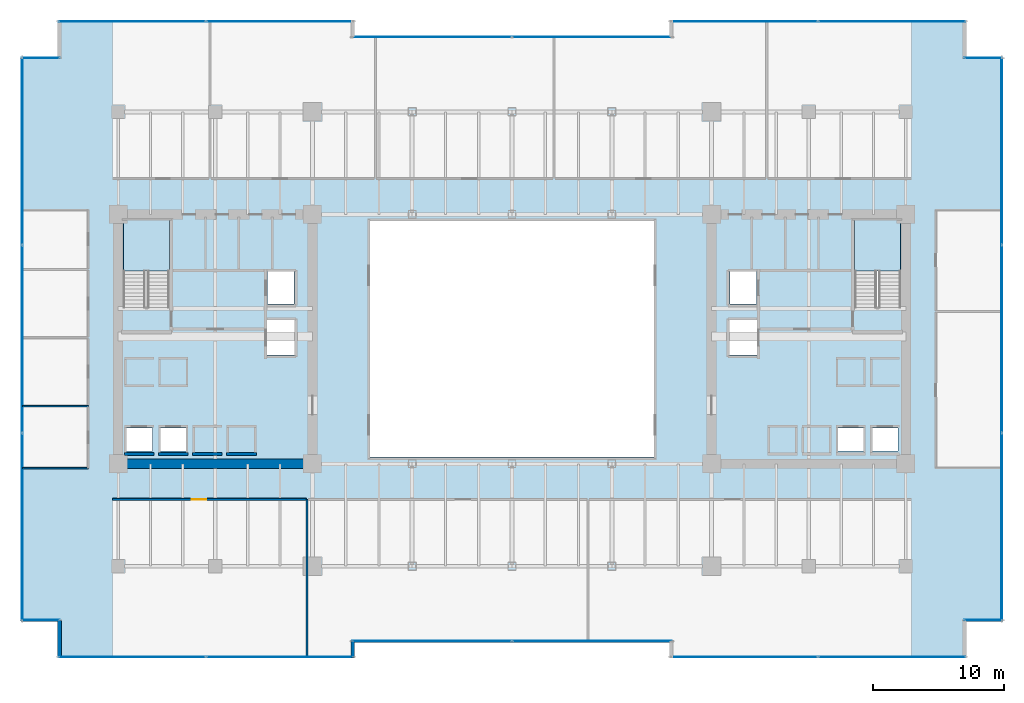
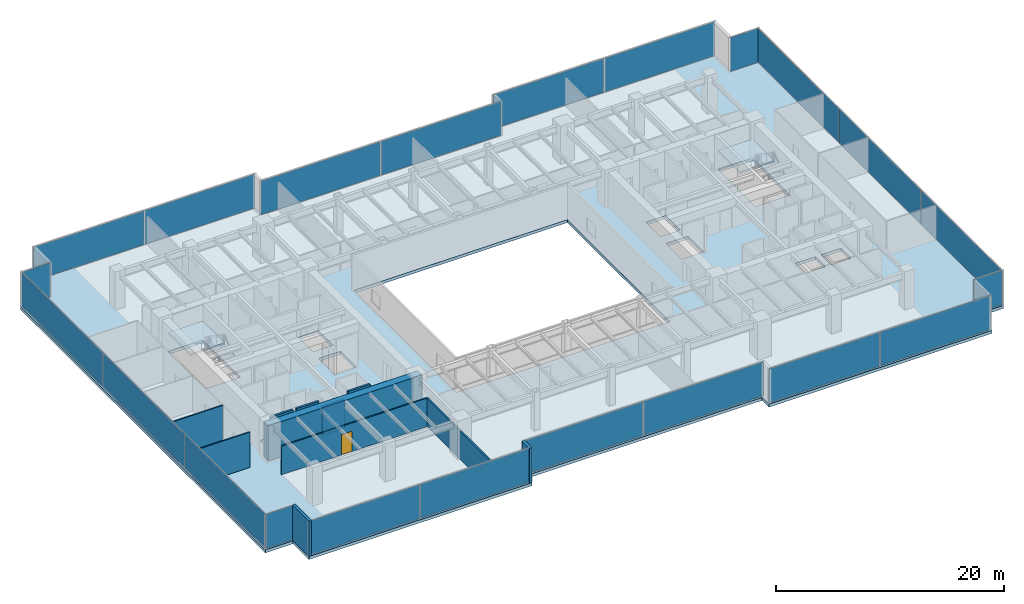
# One storey, part 28 of 36: 22 plates, 11 walls, 3 slabs, 1 door, 1 opening, 14 elements without a shape of their own.
"""IFC4 building model written with IfcOpenShell, lengths in metres."""

from ifc_helpers import new_model, si_unit, direction, frame, frame_2d, origin, origin_2d, place, context, subcontext, project, spatial, polyline, rectangle, outline, extrude, source, transform, mapped, material, layer, layer_set, type_object, type_shapes, element, fill, aggregate, save


model = new_model("IFC4")

# Units and contexts
model_context = context("Model", 3, precision=1e-05, world=origin(), true_north=direction((0.0, 1.0)))
body_context = subcontext(model_context, "Body", "Model", "MODEL_VIEW")
ifc_project = project(units=[si_unit("LENGTHUNIT", "METRE"), si_unit("AREAUNIT", "SQUARE_METRE"), si_unit("VOLUMEUNIT", "CUBIC_METRE"), si_unit("PLANEANGLEUNIT", "RADIAN"), si_unit("MASSUNIT", "GRAM", prefix="KILO")], contexts=[model_context])

# Site, building, storey
site_placement = place(None, origin())
site = spatial("IfcSite", under=ifc_project, at=site_placement, CompositionType="ELEMENT")
building_placement = place(site_placement, origin())
building = spatial("IfcBuilding", under=site, at=building_placement, Name="Haelvirn Gate Laboratories", CompositionType="ELEMENT")
storey_placement = place(building_placement, frame((0.0, 0.0, 49.800048828125)))
storey = spatial("IfcBuildingStorey", under=building, at=storey_placement, Name="L12", CompositionType="ELEMENT", Elevation=49.800048828125)

# Stair, slab
ifc_material_1 = material(Name="Concrete C40/50", Category="concrete")
stair_type = type_object("IfcStairType", Name="ST-DOG-1650-R22", PredefinedType="HALF_TURN_STAIR", material=ifc_material_1)
stair_1_placement = place(storey_placement, origin())
stair_1 = element("IfcStair", 1, at=stair_1_placement, inside=storey, type_object=stair_type, Name="L12 Escape Stair ST1", PredefinedType="HALF_TURN_STAIR")
ifc_layer_1 = layer(ifc_material_1, 0.199951171875, Name="SL-STAIR-LND")
ifc_layer_set_1 = layer_set([ifc_layer_1], Name="Concrete C40/50")
slab_type_1 = type_object("IfcSlabType", Name="SL-STAIR-LND", PredefinedType="LANDING", material=ifc_layer_set_1)
slab_1_placement = place(storey_placement, frame((0.0, 0.0, 1.849853515625)))
slab_1 = element("IfcSlab", 2, at=slab_1_placement, type_object=slab_type_1, Name="ST1 landing 1", PredefinedType="LANDING", context=body_context, shape_type="SweptSolid", body=[
    extrude(outline(polyline([(11.300048828125, 29.5), (11.300048828125, 33.35009765625), (7.800048828125, 33.35009765625), (7.800048828125, 29.5), (11.300048828125, 29.5)])), origin(), (0.0, 0.0, 1.0), 0.2001953125),
])
aggregate(stair_1, [slab_1])

stair_2_placement = place(storey_placement, origin())
stair_2 = element("IfcStair", 3, at=stair_2_placement, inside=storey, type_object=stair_type, Name="L12 Escape Stair ST2", PredefinedType="HALF_TURN_STAIR")
slab_2_placement = place(storey_placement, frame((0.0, 0.0, 1.849853515625)))
slab_2 = element("IfcSlab", 4, at=slab_2_placement, type_object=slab_type_1, Name="ST2 landing 1", PredefinedType="LANDING", context=body_context, shape_type="SweptSolid", body=[
    extrude(outline(polyline([(67.0, 29.5), (67.0, 33.35009765625), (63.5, 33.35009765625), (63.5, 29.5), (67.0, 29.5)])), origin(), (0.0, 0.0, 1.0), 0.2001953125),
])
aggregate(stair_2, [slab_2])

# Slab
ifc_material_2 = material(Name="Concrete C50/60", Category="concrete")
ifc_layer_2 = layer(ifc_material_2, 0.320068359375, Name="SL-Z1-320")
ifc_layer_set_2 = layer_set([ifc_layer_2], Name="Concrete C50/60")
slab_type_2 = type_object("IfcSlabType", Name="SL-Z1-320", PredefinedType="FLOOR", material=ifc_layer_set_2)
slab_3_placement = place(storey_placement, frame((0.0, 0.0, -0.320068359375)))
element("IfcSlab", 5, at=slab_3_placement, inside=storey, type_object=slab_type_2, Name="L12 Structural Slab MAIN", PredefinedType="FLOOR", context=body_context, shape_type="SweptSolid", body=[
    extrude(outline(polyline([(2.800048828125, 0.0), (25.39990234375, 0.0), (25.39990234375, 1.199951171875), (49.39990234375, 1.199951171875), (49.39990234375, 0.0), (72.0, 0.0), (72.0, 2.800048828125), (74.800048828125, 2.800048828125), (74.800048828125, 45.800048828125), (72.0, 45.800048828125), (72.0, 48.60009765625), (49.39990234375, 48.60009765625), (49.39990234375, 47.39990234375), (25.39990234375, 47.39990234375), (25.39990234375, 48.60009765625), (2.800048828125, 48.60009765625), (2.800048828125, 45.800048828125), (0.0, 45.800048828125), (0.0, 2.800048828125), (2.800048828125, 2.800048828125), (2.800048828125, 0.0)]), holes=[polyline([(26.60009765625, 15.300048828125), (48.199951171875, 15.300048828125), (48.199951171875, 33.300048828125), (26.60009765625, 33.300048828125), (26.60009765625, 15.300048828125)]), polyline([(11.300048828125, 26.780029296875), (11.300048828125, 33.35009765625), (7.800048828125, 33.35009765625), (7.800048828125, 26.780029296875), (11.300048828125, 26.780029296875)]), polyline([(67.0, 26.780029296875), (67.0, 33.35009765625), (63.5, 33.35009765625), (63.5, 26.780029296875), (67.0, 26.780029296875)]), polyline([(7.989990234375, 15.77001953125), (10.010009765625, 15.77001953125), (10.010009765625, 17.510009765625), (7.989990234375, 17.510009765625), (7.989990234375, 15.77001953125)]), polyline([(10.590087890625, 15.77001953125), (12.610107421875, 15.77001953125), (12.610107421875, 17.510009765625), (10.590087890625, 17.510009765625), (10.590087890625, 15.77001953125)]), polyline([(18.7900390625, 26.969970703125), (20.81005859375, 26.969970703125), (20.81005859375, 29.510009765625), (18.7900390625, 29.510009765625), (18.7900390625, 26.969970703125)]), polyline([(18.68994140625, 23.070068359375), (20.909912109375, 23.070068359375), (20.909912109375, 25.81005859375), (18.68994140625, 25.81005859375), (18.68994140625, 23.070068359375)]), polyline([(64.7900390625, 15.77001953125), (66.81005859375, 15.77001953125), (66.81005859375, 17.510009765625), (64.7900390625, 17.510009765625), (64.7900390625, 15.77001953125)]), polyline([(62.18994140625, 15.77001953125), (64.2099609375, 15.77001953125), (64.2099609375, 17.510009765625), (62.18994140625, 17.510009765625), (62.18994140625, 15.77001953125)]), polyline([(53.989990234375, 26.969970703125), (56.010009765625, 26.969970703125), (56.010009765625, 29.510009765625), (53.989990234375, 29.510009765625), (53.989990234375, 26.969970703125)]), polyline([(53.889892578125, 23.070068359375), (56.110107421875, 23.070068359375), (56.110107421875, 25.81005859375), (53.889892578125, 25.81005859375), (53.889892578125, 23.070068359375)])]), origin(), (0.0, 0.0, 1.0), 0.320068359375),
])

# Curtain wall, plates
ifc_material_3 = material(Name="Anodised bronze unitised aluminium & triple low-E glass", Category="aluminium")
ifc_layer_3 = layer(ifc_material_3, 0.18408203125, Name="CW-SYS-2")
ifc_layer_set_3 = layer_set([ifc_layer_3], Name="Anodised bronze unitised aluminium & triple low-E glass")
curtain_wall_type_1 = type_object("IfcCurtainWallType", Name="CW-SYS-2", PredefinedType="NOTDEFINED", material=ifc_layer_set_3)
curtain_wall_1_placement = place(storey_placement, origin())
curtain_wall_1 = element("IfcCurtainWall", 6, at=curtain_wall_1_placement, inside=storey, type_object=curtain_wall_type_1, Name="L12 Unitised Curtain Wall CW-L12-P0-E02-1", PredefinedType="NOTDEFINED")
ifc_material_4 = material(Name="Bronze solar-control triple low-E IGU 44 mm", Category="glass")
ifc_layer_4 = layer(ifc_material_4, 0.0439453125, Name="CWP-IGU-44")
ifc_layer_set_4 = layer_set([ifc_layer_4], Name="Bronze solar-control triple low-E IGU 44 mm")
plate_type_1 = type_object("IfcPlateType", Name="CWP-IGU-44", PredefinedType="CURTAIN_PANEL", material=ifc_layer_set_4)
shared_shape_1 = source(origin(), body_context, "Body", "SweptSolid", [
    extrude(rectangle(XDim=12.12744140625, YDim=0.0439453125, at=origin_2d()), origin(), (0.0, 0.0, 1.0), 3.639892578125),
])
plate_1_placement = place(storey_placement, frame((31.298828125, 1.300048828125, 0.06982421875), z_axis=(0.0, 0.0, 1.0), x_axis=(1.0, 0.0, 0.0)))
plate_1 = element("IfcPlate", 7, at=plate_1_placement, type_object=plate_type_1, Name="CW2 panel 1.1", PredefinedType="CURTAIN_PANEL", context=body_context, shape_type="MappedRepresentation", body=[
    mapped(shared_shape_1, transform((0.0, 0.0, 0.0), scale=1.0)),
])
plate_2_placement = place(storey_placement, frame((43.501220703125, 1.300048828125, 0.06982421875), z_axis=(0.0, 0.0, 1.0), x_axis=(1.0, 0.0, 0.0)))
plate_2 = element("IfcPlate", 8, at=plate_2_placement, type_object=plate_type_1, Name="CW2 panel 2.1", PredefinedType="CURTAIN_PANEL", context=body_context, shape_type="MappedRepresentation", body=[
    mapped(shared_shape_1, transform((0.0, 0.0, 0.0), scale=1.0)),
])
aggregate(curtain_wall_1, [plate_1, plate_2])

curtain_wall_2_placement = place(storey_placement, origin())
curtain_wall_2 = element("IfcCurtainWall", 9, at=curtain_wall_2_placement, inside=storey, type_object=curtain_wall_type_1, Name="L12 Unitised Curtain Wall CW-L12-P0-E12-1", PredefinedType="NOTDEFINED")
plate_3_placement = place(storey_placement, frame((31.298828125, 47.300048828125, 0.06982421875), z_axis=(0.0, 0.0, 1.0), x_axis=(1.0, 0.0, 0.0)))
plate_3 = element("IfcPlate", 10, at=plate_3_placement, type_object=plate_type_1, Name="CW2 panel 1.1", PredefinedType="CURTAIN_PANEL", context=body_context, shape_type="MappedRepresentation", body=[
    mapped(shared_shape_1, transform((0.0, 0.0, 0.0), scale=1.0)),
])
plate_4_placement = place(storey_placement, frame((43.501220703125, 47.300048828125, 0.06982421875), z_axis=(0.0, 0.0, 1.0), x_axis=(1.0, 0.0, 0.0)))
plate_4 = element("IfcPlate", 11, at=plate_4_placement, type_object=plate_type_1, Name="CW2 panel 2.1", PredefinedType="CURTAIN_PANEL", context=body_context, shape_type="MappedRepresentation", body=[
    mapped(shared_shape_1, transform((0.0, 0.0, 0.0), scale=1.0)),
])
aggregate(curtain_wall_2, [plate_3, plate_4])

curtain_wall_3_placement = place(storey_placement, origin())
curtain_wall_3 = element("IfcCurtainWall", 12, at=curtain_wall_3_placement, inside=storey, type_object=curtain_wall_type_1, Name="L12 Unitised Curtain Wall CW-L12-P0-E00-1", PredefinedType="NOTDEFINED")
shared_shape_2 = source(origin(), body_context, "Body", "SweptSolid", [
    extrude(rectangle(XDim=11.1875, YDim=0.0439453125, at=origin_2d()), origin(), (0.0, 0.0, 1.0), 3.639892578125),
])
plate_5_placement = place(storey_placement, frame((8.46875, 0.10009765625, 0.06982421875), z_axis=(0.0, 0.0, 1.0), x_axis=(1.0, 0.0, 0.0)))
plate_5 = element("IfcPlate", 13, at=plate_5_placement, type_object=plate_type_1, Name="CW2 panel 1.1", PredefinedType="CURTAIN_PANEL", context=body_context, shape_type="MappedRepresentation", body=[
    mapped(shared_shape_2, transform((0.0, 0.0, 0.0), scale=1.0)),
])
plate_6_placement = place(storey_placement, frame((19.731201171875, 0.10009765625, 0.06982421875), z_axis=(0.0, 0.0, 1.0), x_axis=(1.0, 0.0, 0.0)))
plate_6 = element("IfcPlate", 14, at=plate_6_placement, type_object=plate_type_1, Name="CW2 panel 2.1", PredefinedType="CURTAIN_PANEL", context=body_context, shape_type="MappedRepresentation", body=[
    mapped(shared_shape_2, transform((0.0, 0.0, 0.0), scale=1.0)),
])
aggregate(curtain_wall_3, [plate_5, plate_6])

curtain_wall_4_placement = place(storey_placement, origin())
curtain_wall_4 = element("IfcCurtainWall", 15, at=curtain_wall_4_placement, inside=storey, type_object=curtain_wall_type_1, Name="L12 Unitised Curtain Wall CW-L12-P0-E04-1", PredefinedType="NOTDEFINED")
plate_7_placement = place(storey_placement, frame((55.06884765625, 0.10009765625, 0.06982421875), z_axis=(0.0, 0.0, 1.0), x_axis=(1.0, 0.0, 0.0)))
plate_7 = element("IfcPlate", 16, at=plate_7_placement, type_object=plate_type_1, Name="CW2 panel 1.1", PredefinedType="CURTAIN_PANEL", context=body_context, shape_type="MappedRepresentation", body=[
    mapped(shared_shape_2, transform((0.0, 0.0, 0.0), scale=1.0)),
])
plate_8_placement = place(storey_placement, frame((66.331298828125, 0.10009765625, 0.06982421875), z_axis=(0.0, 0.0, 1.0), x_axis=(1.0, 0.0, 0.0)))
plate_8 = element("IfcPlate", 17, at=plate_8_placement, type_object=plate_type_1, Name="CW2 panel 2.1", PredefinedType="CURTAIN_PANEL", context=body_context, shape_type="MappedRepresentation", body=[
    mapped(shared_shape_2, transform((0.0, 0.0, 0.0), scale=1.0)),
])
aggregate(curtain_wall_4, [plate_7, plate_8])

curtain_wall_5_placement = place(storey_placement, origin())
curtain_wall_5 = element("IfcCurtainWall", 18, at=curtain_wall_5_placement, inside=storey, type_object=curtain_wall_type_1, Name="L12 Unitised Curtain Wall CW-L12-P0-E10-1", PredefinedType="NOTDEFINED")
plate_9_placement = place(storey_placement, frame((55.06884765625, 48.5, 0.06982421875), z_axis=(0.0, 0.0, 1.0), x_axis=(1.0, 0.0, 0.0)))
plate_9 = element("IfcPlate", 19, at=plate_9_placement, type_object=plate_type_1, Name="CW2 panel 1.1", PredefinedType="CURTAIN_PANEL", context=body_context, shape_type="MappedRepresentation", body=[
    mapped(shared_shape_2, transform((0.0, 0.0, 0.0), scale=1.0)),
])
plate_10_placement = place(storey_placement, frame((66.331298828125, 48.5, 0.06982421875), z_axis=(0.0, 0.0, 1.0), x_axis=(1.0, 0.0, 0.0)))
plate_10 = element("IfcPlate", 20, at=plate_10_placement, type_object=plate_type_1, Name="CW2 panel 2.1", PredefinedType="CURTAIN_PANEL", context=body_context, shape_type="MappedRepresentation", body=[
    mapped(shared_shape_2, transform((0.0, 0.0, 0.0), scale=1.0)),
])
aggregate(curtain_wall_5, [plate_9, plate_10])

curtain_wall_6_placement = place(storey_placement, origin())
curtain_wall_6 = element("IfcCurtainWall", 21, at=curtain_wall_6_placement, inside=storey, type_object=curtain_wall_type_1, Name="L12 Unitised Curtain Wall CW-L12-P0-E14-1", PredefinedType="NOTDEFINED")
plate_11_placement = place(storey_placement, frame((8.46875, 48.5, 0.06982421875), z_axis=(0.0, 0.0, 1.0), x_axis=(1.0, 0.0, 0.0)))
plate_11 = element("IfcPlate", 22, at=plate_11_placement, type_object=plate_type_1, Name="CW2 panel 1.1", PredefinedType="CURTAIN_PANEL", context=body_context, shape_type="MappedRepresentation", body=[
    mapped(shared_shape_2, transform((0.0, 0.0, 0.0), scale=1.0)),
])
plate_12_placement = place(storey_placement, frame((19.731201171875, 48.5, 0.06982421875), z_axis=(0.0, 0.0, 1.0), x_axis=(1.0, 0.0, 0.0)))
plate_12 = element("IfcPlate", 23, at=plate_12_placement, type_object=plate_type_1, Name="CW2 panel 2.1", PredefinedType="CURTAIN_PANEL", context=body_context, shape_type="MappedRepresentation", body=[
    mapped(shared_shape_2, transform((0.0, 0.0, 0.0), scale=1.0)),
])
aggregate(curtain_wall_6, [plate_11, plate_12])

# Curtain wall, plate
ifc_layer_5 = layer(ifc_material_3, 0.181884765625, Name="CW-SYS-5")
ifc_layer_set_5 = layer_set([ifc_layer_5], Name="Anodised bronze unitised aluminium & triple low-E glass")
curtain_wall_type_2 = type_object("IfcCurtainWallType", Name="CW-SYS-5", PredefinedType="NOTDEFINED", material=ifc_layer_set_5)
curtain_wall_7_placement = place(storey_placement, origin())
curtain_wall_7 = element("IfcCurtainWall", 24, at=curtain_wall_7_placement, inside=storey, type_object=curtain_wall_type_2, Name="L12 Unitised Curtain Wall CW-L12-P0-E06-1", PredefinedType="NOTDEFINED")
ifc_material_5 = material(Name="Clear low-iron notched-corner triple IGU 42 mm", Category="glass")
ifc_layer_6 = layer(ifc_material_5, 0.0419921875, Name="CWP-NTC-42")
ifc_layer_set_6 = layer_set([ifc_layer_6], Name="Clear low-iron notched-corner triple IGU 42 mm")
plate_type_2 = type_object("IfcPlateType", Name="CWP-NTC-42", PredefinedType="CURTAIN_PANEL", material=ifc_layer_set_6)
shared_shape_3 = source(origin(), body_context, "Body", "SweptSolid", [
    extrude(rectangle(XDim=2.8798828125, YDim=0.0419921875, at=origin_2d()), origin(), (0.0, 0.0, 1.0), 3.64990234375),
])
type_shapes(plate_type_2, [shared_shape_3])
plate_13_placement = place(storey_placement, frame((73.280029296875, 2.89990234375, 0.06494140625), z_axis=(0.0, 0.0, 1.0), x_axis=(1.0, 0.0, 0.0)))
plate_13 = element("IfcPlate", 25, at=plate_13_placement, type_object=plate_type_2, Name="CW5 panel 1.1", PredefinedType="CURTAIN_PANEL", context=body_context, shape_type="MappedRepresentation", body=[
    mapped(shared_shape_3, transform((0.0, 0.0, 0.0), scale=1.0)),
])
aggregate(curtain_wall_7, [plate_13])

curtain_wall_8_placement = place(storey_placement, origin())
curtain_wall_8 = element("IfcCurtainWall", 26, at=curtain_wall_8_placement, inside=storey, type_object=curtain_wall_type_2, Name="L12 Unitised Curtain Wall CW-L12-P0-E08-1", PredefinedType="NOTDEFINED")
plate_14_placement = place(storey_placement, frame((73.280029296875, 45.699951171875, 0.06494140625), z_axis=(0.0, 0.0, 1.0), x_axis=(1.0, 0.0, 0.0)))
plate_14 = element("IfcPlate", 27, at=plate_14_placement, type_object=plate_type_2, Name="CW5 panel 1.1", PredefinedType="CURTAIN_PANEL", context=body_context, shape_type="MappedRepresentation", body=[
    mapped(shared_shape_3, transform((0.0, 0.0, 0.0), scale=1.0)),
])
aggregate(curtain_wall_8, [plate_14])

curtain_wall_9_placement = place(storey_placement, origin())
curtain_wall_9 = element("IfcCurtainWall", 28, at=curtain_wall_9_placement, inside=storey, type_object=curtain_wall_type_2, Name="L12 Unitised Curtain Wall CW-L12-P0-E16-1", PredefinedType="NOTDEFINED")
plate_15_placement = place(storey_placement, frame((1.52001953125, 45.699951171875, 0.06494140625), z_axis=(0.0, 0.0, 1.0), x_axis=(1.0, 0.0, 0.0)))
plate_15 = element("IfcPlate", 29, at=plate_15_placement, type_object=plate_type_2, Name="CW5 panel 1.1", PredefinedType="CURTAIN_PANEL", context=body_context, shape_type="MappedRepresentation", body=[
    mapped(shared_shape_3, transform((0.0, 0.0, 0.0), scale=1.0)),
])
aggregate(curtain_wall_9, [plate_15])

curtain_wall_10_placement = place(storey_placement, origin())
curtain_wall_10 = element("IfcCurtainWall", 30, at=curtain_wall_10_placement, inside=storey, type_object=curtain_wall_type_2, Name="L12 Unitised Curtain Wall CW-L12-P0-E18-1", PredefinedType="NOTDEFINED")
plate_16_placement = place(storey_placement, frame((1.52001953125, 2.89990234375, 0.06494140625), z_axis=(0.0, 0.0, 1.0), x_axis=(1.0, 0.0, 0.0)))
plate_16 = element("IfcPlate", 31, at=plate_16_placement, type_object=plate_type_2, Name="CW5 panel 1.1", PredefinedType="CURTAIN_PANEL", context=body_context, shape_type="MappedRepresentation", body=[
    mapped(shared_shape_3, transform((0.0, 0.0, 0.0), scale=1.0)),
])
aggregate(curtain_wall_10, [plate_16])

# Curtain wall, plates
curtain_wall_11_placement = place(storey_placement, origin())
curtain_wall_11 = element("IfcCurtainWall", 32, at=curtain_wall_11_placement, inside=storey, type_object=curtain_wall_type_1, Name="L12 Unitised Curtain Wall CW-L12-P0-E07", PredefinedType="NOTDEFINED")
shared_shape_4 = source(origin(), body_context, "Body", "SweptSolid", [
    extrude(rectangle(XDim=14.220947265625, YDim=0.0439453125, at=origin_2d()), origin(), (0.0, 0.0, 1.0), 3.639892578125),
])
plate_17_placement = place(storey_placement, frame((74.699951171875, 9.9853515625, 0.06982421875), z_axis=(0.0, 0.0, 1.0), x_axis=(0.0, 1.0, 0.0)))
plate_17 = element("IfcPlate", 33, at=plate_17_placement, type_object=plate_type_1, Name="CW2 panel 1.1", PredefinedType="CURTAIN_PANEL", context=body_context, shape_type="MappedRepresentation", body=[
    mapped(shared_shape_4, transform((0.0, 0.0, 0.0), scale=1.0)),
])
plate_18_placement = place(storey_placement, frame((74.699951171875, 38.614501953125, 0.06982421875), z_axis=(0.0, 0.0, 1.0), x_axis=(0.0, 1.0, 0.0)))
plate_18 = element("IfcPlate", 34, at=plate_18_placement, type_object=plate_type_1, Name="CW2 panel 3.1", PredefinedType="CURTAIN_PANEL", context=body_context, shape_type="MappedRepresentation", body=[
    mapped(shared_shape_4, transform((0.0, 0.0, 0.0), scale=1.0)),
])

curtain_wall_12_placement = place(storey_placement, origin())
curtain_wall_12 = element("IfcCurtainWall", 35, at=curtain_wall_12_placement, inside=storey, type_object=curtain_wall_type_1, Name="L12 Unitised Curtain Wall CW-L12-P0-E17", PredefinedType="NOTDEFINED")
plate_19_placement = place(storey_placement, frame((0.10009765625, 38.614501953125, 0.06982421875), z_axis=(0.0, 0.0, 1.0), x_axis=(0.0, -1.0, 0.0)))
plate_19 = element("IfcPlate", 36, at=plate_19_placement, type_object=plate_type_1, Name="CW2 panel 1.1", PredefinedType="CURTAIN_PANEL", context=body_context, shape_type="MappedRepresentation", body=[
    mapped(shared_shape_4, transform((0.0, 0.0, 0.0), scale=1.0)),
])
plate_20_placement = place(storey_placement, frame((0.10009765625, 9.9853515625, 0.06982421875), z_axis=(0.0, 0.0, 1.0), x_axis=(0.0, -1.0, 0.0)))
plate_20 = element("IfcPlate", 37, at=plate_20_placement, type_object=plate_type_1, Name="CW2 panel 3.1", PredefinedType="CURTAIN_PANEL", context=body_context, shape_type="MappedRepresentation", body=[
    mapped(shared_shape_4, transform((0.0, 0.0, 0.0), scale=1.0)),
])

# Plate
shared_shape_5 = source(origin(), body_context, "Body", "SweptSolid", [
    extrude(rectangle(XDim=14.25830078125, YDim=0.0439453125, at=origin_2d()), origin(), (0.0, 0.0, 1.0), 3.639892578125),
])
type_shapes(plate_type_1, [shared_shape_1, shared_shape_2, shared_shape_4, shared_shape_5])
plate_21_placement = place(storey_placement, frame((74.699951171875, 24.300048828125, 0.06982421875), z_axis=(0.0, 0.0, 1.0), x_axis=(0.0, 1.0, 0.0)))
plate_21 = element("IfcPlate", 38, at=plate_21_placement, type_object=plate_type_1, Name="CW2 panel 2.1", PredefinedType="CURTAIN_PANEL", context=body_context, shape_type="MappedRepresentation", body=[
    mapped(shared_shape_5, transform((0.0, 0.0, 0.0), scale=1.0)),
])

aggregate(curtain_wall_11, [plate_17, plate_21, plate_18])

plate_22_placement = place(storey_placement, frame((0.10009765625, 24.300048828125, 0.06982421875), z_axis=(0.0, 0.0, 1.0), x_axis=(0.0, -1.0, 0.0)))
plate_22 = element("IfcPlate", 39, at=plate_22_placement, type_object=plate_type_1, Name="CW2 panel 2.1", PredefinedType="CURTAIN_PANEL", context=body_context, shape_type="MappedRepresentation", body=[
    mapped(shared_shape_5, transform((0.0, 0.0, 0.0), scale=1.0)),
])

aggregate(curtain_wall_12, [plate_19, plate_22, plate_20])

# Walls
ifc_material_6 = material(Name="Thermally-broken bronze aluminium rainscreen & mineral wool", Category="aluminium")
ifc_layer_7 = layer(ifc_material_6, 0.280029296875, Name="EW-TERR-280")
ifc_layer_set_7 = layer_set([ifc_layer_7], Name="Thermally-broken bronze aluminium rainscreen & mineral wool")
wall_type_1 = type_object("IfcWallType", Name="EW-TERR-280", PredefinedType="STANDARD", material=ifc_layer_set_7)
wall_1_placement = place(storey_placement, frame((25.260009765625, 0.0, 0.0), z_axis=(0.0, 0.0, 1.0), x_axis=(0.0, 1.0, 0.0)))
element("IfcWall", 40, at=wall_1_placement, inside=storey, type_object=wall_type_1, Name="L12 Atrium Recess Bronze Return Wall 01", PredefinedType="STANDARD", context=body_context, shape_type="SweptSolid", body=[
    extrude(rectangle(XDim=1.2880859375, YDim=0.280029296875, at=frame_2d((0.64404296875, 0.0))), origin(), (0.0, 0.0, 1.0), 3.780029296875),
])
wall_2_placement = place(storey_placement, frame((2.93994140625, 2.887939453125, 0.0), z_axis=(0.0, 0.0, 1.0), x_axis=(0.0, -1.0, 0.0)))
element("IfcWall", 41, at=wall_2_placement, inside=storey, type_object=wall_type_1, Name="L12 Atrium Recess Bronze Return Wall 19", PredefinedType="STANDARD", context=body_context, shape_type="SweptSolid", body=[
    extrude(rectangle(XDim=2.887939453125, YDim=0.280029296875, at=frame_2d((1.44384765625, 0.0))), origin(), (0.0, 0.0, 1.0), 3.780029296875),
])
ifc_material_7 = material(Name="Double-layer acoustic gypsum laboratory partition", Category="gypsum")
ifc_layer_8 = layer(ifc_material_7, 0.159912109375, Name="IW-ACOUST-160")
ifc_layer_set_8 = layer_set([ifc_layer_8], Name="Double-layer acoustic gypsum laboratory partition")
wall_type_2 = type_object("IfcWallType", Name="IW-ACOUST-160", PredefinedType="PARTITIONING", material=ifc_layer_set_8)
wall_3_placement = place(storey_placement, frame((21.800048828125, 0.110107421875, 0.0), z_axis=(0.0, 0.0, 1.0), x_axis=(0.0, 1.0, 0.0)))
element("IfcWall", 42, at=wall_3_placement, inside=storey, type_object=wall_type_2, Name="L12 Interior Wall IW-L12-SDIV-01", PredefinedType="PARTITIONING", context=body_context, shape_type="SweptSolid", body=[
    extrude(rectangle(XDim=11.97998046875, YDim=0.159912109375, at=frame_2d((5.989990234375, 0.0))), origin(), (0.0, 0.0, 1.0), 3.014892578125),
])
ifc_material_8 = material(Name="Lightweight acoustic gypsum board partition", Category="gypsum")
ifc_layer_9 = layer(ifc_material_8, 0.1201171875, Name="IW-PART-120")
ifc_layer_set_9 = layer_set([ifc_layer_9], Name="Lightweight acoustic gypsum board partition")
wall_type_3 = type_object("IfcWallType", Name="IW-PART-120", PredefinedType="PARTITIONING", material=ifc_layer_set_9)
for number, where, z_axis, x_axis, name in (
    (43, (0.110107421875, 14.465087890625, 0.0), (0.0, 0.0, 1.0), (1.0, 0.0, 0.0), "L12 Interior Wall IW-L12-WCAP-S"),
    (44, (0.110107421875, 19.199951171875, 0.0), (0.0, 0.0, 1.0), (1.0, 0.0, 0.0), "L12 Interior Wall IW-L12-WDIV-01"),
):
    element("IfcWall", number, at=place(storey_placement, frame(where, z_axis=z_axis, x_axis=x_axis)), inside=storey, type_object=wall_type_3, Name=name, PredefinedType="PARTITIONING", context=body_context, shape_type="SweptSolid", body=[
        extrude(rectangle(XDim=5.019775390625, YDim=0.1201171875, at=frame_2d((2.509765625, 0.0))), origin(), (0.0, 0.0, 1.0), 3.780029296875),
    ])

# Wall, opening, door
ifc_material_9 = material(Name="Acoustic mineral-wool gypsum board partition", Category="gypsum")
ifc_layer_10 = layer(ifc_material_9, 0.139892578125, Name="IW-PART-140")
ifc_layer_set_10 = layer_set([ifc_layer_10], Name="Acoustic mineral-wool gypsum board partition")
wall_type_4 = type_object("IfcWallType", Name="IW-PART-140", PredefinedType="PARTITIONING", material=ifc_layer_set_10)
wall_4_placement = place(storey_placement, frame((6.97998046875, 12.090087890625, 0.0), z_axis=(0.0, 0.0, 1.0), x_axis=(1.0, 0.0, 0.0)))
wall_4 = element("IfcWall", 45, at=wall_4_placement, inside=storey, type_object=wall_type_4, Name="L12 Interior Wall IW-L12-SCORR-01", PredefinedType="PARTITIONING", context=body_context, shape_type="SweptSolid", body=[
    extrude(rectangle(XDim=14.739990234375, YDim=0.139892578125, at=frame_2d((7.3701171875, 0.0))), origin(), (0.0, 0.0, 1.0), 3.06494140625),
])
opening_placement = place(wall_4_placement, frame((6.043701171875, 0.0, 0.0)))
opening = element("IfcOpeningElement", 46, at=opening_placement, cuts=wall_4, Name="Opening D1", PredefinedType="OPENING", context=body_context, shape_type="SweptSolid", body=[
    extrude(rectangle(XDim=1.10009765625, YDim=2.179931640625, at=frame_2d((0.550048828125, 1.08984375))), frame((0.0, 0.080078125, 0.0), z_axis=(0.0, -1.0, 0.0), x_axis=(1.0, 0.0, 0.0)), (0.0, 0.0, 1.0), 0.159912109375),
])
ifc_material_10 = material(Name="Vision-panel acoustic solid-core timber lab door", Category="wood")
door_type = type_object("IfcDoorType", Name="DR-LAB-1100", OperationType="NOTDEFINED", PredefinedType="DOOR", material=ifc_material_10)
shared_shape_6 = source(origin(), body_context, "Body", "SweptSolid", [
    extrude(rectangle(XDim=1.10009765625, YDim=2.179931640625, at=frame_2d((0.550048828125, 1.08984375))), frame((0.0, 0.02490234375, 0.0), z_axis=(0.0, -1.0, 0.0), x_axis=(1.0, 0.0, 0.0)), (0.0, 0.0, 1.0), 0.050048828125),
])
type_shapes(door_type, [shared_shape_6])
door_placement = place(opening_placement, origin())
door = element("IfcDoor", 47, at=door_placement, inside=storey, type_object=door_type, Name="L12 Peer-Review Seminar Room Door S1", OperationType="SINGLE_SWING_LEFT", OverallHeight=2.179931640625, OverallWidth=1.10009765625, PredefinedType="DOOR", context=body_context, shape_type="MappedRepresentation", body=[
    mapped(shared_shape_6, transform((0.0, 0.0, 0.0), scale=1.0)),
])
fill(opening, door)

# Walls
ifc_layer_11 = layer(ifc_material_1, 0.199951171875, Name="IW-SHAFT-200")
ifc_layer_set_11 = layer_set([ifc_layer_11], Name="Concrete C40/50")
wall_type_5 = type_object("IfcWallType", Name="IW-SHAFT-200", PredefinedType="SOLIDWALL", material=ifc_layer_set_11)
wall_5_placement = place(storey_placement, frame((7.8701171875, 15.550048828125, 0.0), z_axis=(0.0, 0.0, 1.0), x_axis=(1.0, 0.0, 0.0)))
element("IfcWall", 48, at=wall_5_placement, inside=storey, type_object=wall_type_5, Name="L12 Interior Wall IW-L12-PL1-BK", PredefinedType="SOLIDWALL", context=body_context, shape_type="SweptSolid", body=[
    extrude(rectangle(XDim=2.259765625, YDim=0.199951171875, at=frame_2d((1.1298828125, 0.0))), origin(), (0.0, 0.0, 1.0), 3.780029296875),
])
wall_6_placement = place(storey_placement, frame((10.469970703125, 15.550048828125, 0.0), z_axis=(0.0, 0.0, 1.0), x_axis=(1.0, 0.0, 0.0)))
element("IfcWall", 49, at=wall_6_placement, inside=storey, type_object=wall_type_5, Name="L12 Interior Wall IW-L12-PL2-BK", PredefinedType="SOLIDWALL", context=body_context, shape_type="SweptSolid", body=[
    extrude(rectangle(XDim=2.260009765625, YDim=0.199951171875, at=frame_2d((1.1298828125, 0.0))), origin(), (0.0, 0.0, 1.0), 3.780029296875),
])
wall_7_placement = place(storey_placement, frame((13.070068359375, 15.550048828125, 0.0), z_axis=(0.0, 0.0, 1.0), x_axis=(1.0, 0.0, 0.0)))
element("IfcWall", 50, at=wall_7_placement, inside=storey, type_object=wall_type_5, Name="L12 Interior Wall IW-L12-PL5-BK", PredefinedType="SOLIDWALL", context=body_context, shape_type="SweptSolid", body=[
    extrude(rectangle(XDim=2.260009765625, YDim=0.199951171875, at=frame_2d((1.1298828125, 0.0))), origin(), (0.0, 0.0, 1.0), 3.06494140625),
])
wall_8_placement = place(storey_placement, frame((15.669921875, 15.550048828125, 0.0), z_axis=(0.0, 0.0, 1.0), x_axis=(1.0, 0.0, 0.0)))
element("IfcWall", 51, at=wall_8_placement, inside=storey, type_object=wall_type_5, Name="L12 Interior Wall IW-L12-PL6-BK", PredefinedType="SOLIDWALL", context=body_context, shape_type="SweptSolid", body=[
    extrude(rectangle(XDim=2.260009765625, YDim=0.199951171875, at=frame_2d((1.1298828125, 0.0))), origin(), (0.0, 0.0, 1.0), 3.780029296875),
])
ifc_material_11 = material(Name="Concrete C70/85", Category="concrete")
ifc_layer_12 = layer(ifc_material_11, 0.75, Name="SW-CORE-750")
ifc_layer_set_12 = layer_set([ifc_layer_12], Name="Concrete C70/85")
wall_type_6 = type_object("IfcWallType", Name="SW-CORE-750", PredefinedType="SHEAR", material=ifc_layer_set_12)
wall_9_placement = place(storey_placement, frame((7.02490234375, 14.800048828125, 0.0), z_axis=(0.0, 0.0, 1.0), x_axis=(1.0, 0.0, 0.0)))
element("IfcWall", 52, at=wall_9_placement, inside=storey, type_object=wall_type_6, Name="L12 W Core Shear Wall S", PredefinedType="SHEAR", context=body_context, shape_type="SweptSolid", body=[
    extrude(rectangle(XDim=15.550048828125, YDim=0.75, at=frame_2d((7.77490234375, 0.0))), origin(), (0.0, 0.0, 1.0), 3.780029296875),
])

save(model, "model.ifc")
